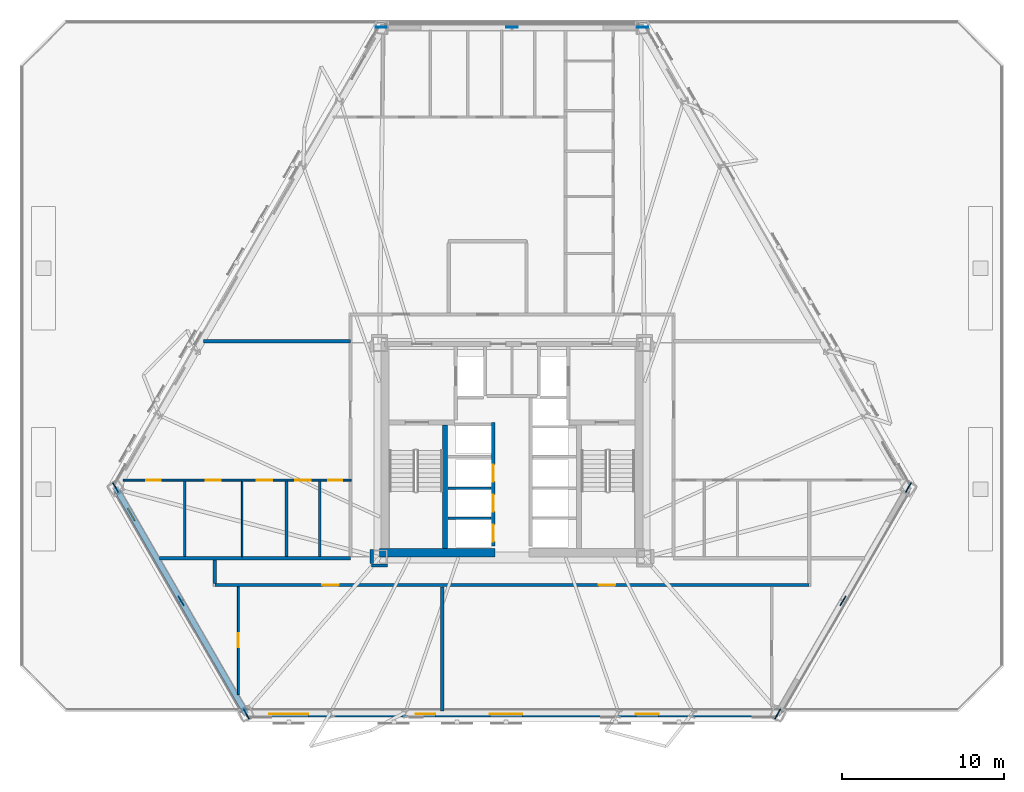
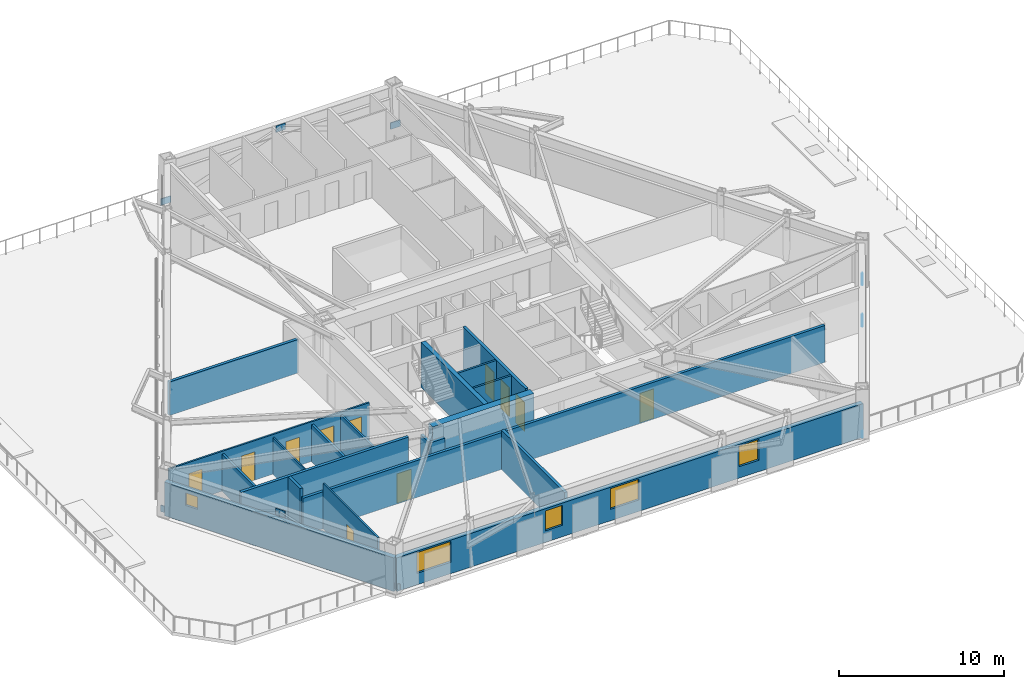
# One storey, part 3 of 14: 20 walls, 11 doors, 9 plates, 5 windows, 16 openings.
"""IFC4 building model written with IfcOpenShell, lengths in metres."""

from ifc_helpers import new_model, si_unit, direction, frame, frame_2d, origin, origin_2d, place, context, subcontext, project, spatial, rectangle, extrude, material, layer, layer_set, type_object, element, fill, save


model = new_model("IFC4")

# Units and contexts
model_context = context("Model", 3, precision=1e-05, world=origin(), true_north=direction((0.0, 1.0)))
body_context = subcontext(model_context, "Body", "Model", "MODEL_VIEW")
ifc_project = project(units=[si_unit("LENGTHUNIT", "METRE"), si_unit("AREAUNIT", "SQUARE_METRE"), si_unit("VOLUMEUNIT", "CUBIC_METRE"), si_unit("PLANEANGLEUNIT", "RADIAN"), si_unit("MASSUNIT", "GRAM", prefix="KILO")], contexts=[model_context])

# Site, building, storey
site_placement = place(None, origin())
site = spatial("IfcSite", under=ifc_project, at=site_placement, CompositionType="ELEMENT")
building_placement = place(site_placement, origin())
building = spatial("IfcBuilding", under=site, at=building_placement, Name="Oramaril Tower", CompositionType="ELEMENT")
storey_placement = place(building_placement, frame((0.0, 0.0, 27.300048828125)))
storey = spatial("IfcBuildingStorey", under=building, at=storey_placement, Name="L06", CompositionType="ELEMENT", Elevation=27.300048828125)

# Plates
ifc_material_1 = material(Name="Steel ASTM A572 Gr 50", Category="steel")
ifc_layer_1 = layer(ifc_material_1, 0.06005859375)
ifc_layer_set_1 = layer_set([ifc_layer_1], Name="PLT-G60")
plate_type = type_object("IfcPlateType", Name="PLT-G60", PredefinedType="USERDEFINED", material=ifc_layer_set_1)
for number, where, z_axis, x_axis, name in (
    (1, (17.11376953125, 8.330078125, 2.69189453125), (0.0, 0.0, 1.0), (0.499996976998, -0.866027149108, 0.0), "L06 Chevron Brace Gusset Plate BN-1"),
    (2, (13.089599609375, 15.300048828125, 0.099853515625), (0.0, 0.0, 1.0), (0.499996976998, -0.866027149108, 0.0), "L06 Chevron Brace Gusset Plate BN-1"),
    (3, (21.137939453125, 1.360107421875, 0.099853515625), (0.0, 0.0, 1.0), (0.499996976998, -0.866027149108, 0.0), "L06 Chevron Brace Gusset Plate BN-1"),
    (4, (57.88623046875, 8.330078125, 2.69189453125), (0.0, 0.0, 1.0), (0.499996976998, 0.866027149108, 0.0), "L06 Chevron Brace Gusset Plate BN-1"),
    (5, (53.862060546875, 1.360107421875, 0.099853515625), (0.0, 0.0, 1.0), (0.499996976998, 0.866027149108, 0.0), "L06 Chevron Brace Gusset Plate BN-1"),
    (6, (61.910400390625, 15.300048828125, 0.099853515625), (0.0, 0.0, 1.0), (0.499996976998, 0.866027149108, 0.0), "L06 Chevron Brace Gusset Plate BN-1"),
    (7, (37.5, 43.639892578125, 2.69189453125), (0.0, 0.0, 1.0), (-1.0, 0.0, 0.0), "L06 Chevron Brace Gusset Plate BN-1"),
    (8, (45.548095703125, 43.639892578125, 0.099853515625), (0.0, 0.0, 1.0), (-1.0, 0.0, 0.0), "L06 Chevron Brace Gusset Plate BN-1"),
    (9, (29.451904296875, 43.639892578125, 0.099853515625), (0.0, 0.0, 1.0), (-1.0, 0.0, 0.0), "L06 Chevron Brace Gusset Plate BN-1"),
):
    element("IfcPlate", number, at=place(storey_placement, frame(where, z_axis=z_axis, x_axis=x_axis)), inside=storey, type_object=plate_type, Name=name, ObjectType="GUSSET", PredefinedType="USERDEFINED", context=body_context, shape_type="SweptSolid", body=[
        extrude(rectangle(XDim=0.679931640625, YDim=0.06005859375, at=origin_2d()), origin(), (0.0, 0.0, 1.0), 0.47998046875),
    ])

# Wall, opening, window
ifc_material_2 = material(Name="Warm Cream Limestone", Category="masonry")
ifc_layer_2 = layer(ifc_material_2, 0.340087890625)
ifc_layer_set_2 = layer_set([ifc_layer_2], Name="WT-EXT34")
wall_type_1 = type_object("IfcWallType", Name="WT-EXT34", PredefinedType="SOLIDWALL", material=ifc_layer_set_2)
wall_1_placement = place(storey_placement, frame((13.089599609375, 15.300048828125, 0.0), z_axis=(0.0, 0.0, 1.0), x_axis=(0.500005168208, -0.866022419898, 0.0)))
wall_1 = element("IfcWall", 10, at=wall_1_placement, inside=storey, type_object=wall_type_1, Name="L06 Tower Limestone Facade Wall 1M", PredefinedType="SOLIDWALL", context=body_context, shape_type="SweptSolid", body=[
    extrude(rectangle(XDim=16.096435546875, YDim=0.340087890625, at=frame_2d((8.04833984375, 0.0))), origin(), (0.0, 0.0, 1.0), 2.493896484375),
])
opening_1_placement = place(wall_1_placement, frame((1.489990234375, 0.0, 1.280029296875)))
opening_1 = element("IfcOpeningElement", 11, at=opening_1_placement, cuts=wall_1, Name="Opening WN-13", PredefinedType="OPENING", context=body_context, shape_type="SweptSolid", body=[
    extrude(rectangle(XDim=0.85009765625, YDim=0.919921875, at=frame_2d((0.425048828125, 0.4599609375))), frame((0.0, 0.169921875, 0.0), z_axis=(0.0, -1.0, 0.0), x_axis=(1.0, 0.0, 0.0)), (0.0, 0.0, 1.0), 0.340087890625),
])
ifc_material_3 = material(Name="Coastal Low-E Insulated Glass", Category="glass")
window_type_1 = type_object("IfcWindowType", Name="WNT-13", PartitioningType="SINGLE_PANEL", PredefinedType="WINDOW", material=ifc_material_3)
window_1_placement = place(opening_1_placement, origin())
window_1 = element("IfcWindow", 12, at=window_1_placement, inside=storey, type_object=window_type_1, Name="L06 Apartment Bedroom Window WN-13", OverallHeight=0.919921875, OverallWidth=0.85009765625, PartitioningType="SINGLE_PANEL", PredefinedType="WINDOW", context=body_context, shape_type="SweptSolid", body=[
    extrude(rectangle(XDim=0.85009765625, YDim=0.919921875, at=frame_2d((0.425048828125, 0.4599609375))), frame((0.0, 0.030029296875, 0.0), z_axis=(0.0, -1.0, 0.0), x_axis=(1.0, 0.0, 0.0)), (0.0, 0.0, 1.0), 0.06005859375),
])
fill(opening_1, window_1)

# Wall, openings, windows
wall_2_placement = place(storey_placement, frame((21.137939453125, 1.360107421875, 0.0), z_axis=(0.0, 0.0, 1.0), x_axis=(1.0, 0.0, 0.0)))
wall_2 = element("IfcWall", 13, at=wall_2_placement, inside=storey, type_object=wall_type_1, Name="L06 Tower Limestone Facade Wall 2M", PredefinedType="SOLIDWALL", context=body_context, shape_type="SweptSolid", body=[
    extrude(rectangle(XDim=32.72412109375, YDim=0.340087890625, at=frame_2d((16.362060546875, 0.0))), origin(), (0.0, 0.0, 1.0), 2.493896484375),
])
opening_2_placement = place(wall_2_placement, frame((1.42041015625, 0.0, 0.85009765625)))
opening_2 = element("IfcOpeningElement", 14, at=opening_2_placement, cuts=wall_2, Name="Opening WN-03", PredefinedType="OPENING", context=body_context, shape_type="SweptSolid", body=[
    extrude(rectangle(XDim=2.39990234375, YDim=1.533935546875, at=frame_2d((1.199951171875, 0.76708984375))), frame((0.0, 0.169921875, 0.0), z_axis=(0.0, -1.0, 0.0), x_axis=(1.0, 0.0, 0.0)), (0.0, 0.0, 1.0), 0.340087890625),
])
opening_3_placement = place(wall_2_placement, frame((10.435546875, 0.0, 0.85009765625)))
opening_3 = element("IfcOpeningElement", 15, at=opening_3_placement, cuts=wall_2, Name="Opening WN-09", PredefinedType="OPENING", context=body_context, shape_type="SweptSolid", body=[
    extrude(rectangle(XDim=1.199951171875, YDim=1.47998046875, at=frame_2d((0.60009765625, 0.739990234375))), frame((0.0, 0.169921875, 0.0), z_axis=(0.0, -1.0, 0.0), x_axis=(1.0, 0.0, 0.0)), (0.0, 0.0, 1.0), 0.340087890625),
])
opening_4_placement = place(wall_2_placement, frame((15.0009765625, 0.0, 0.85009765625)))
opening_4 = element("IfcOpeningElement", 16, at=opening_4_placement, cuts=wall_2, Name="Opening WN-05", PredefinedType="OPENING", context=body_context, shape_type="SweptSolid", body=[
    extrude(rectangle(XDim=2.0, YDim=1.533935546875, at=frame_2d((1.0, 0.76708984375))), frame((0.0, 0.169921875, 0.0), z_axis=(0.0, -1.0, 0.0), x_axis=(1.0, 0.0, 0.0)), (0.0, 0.0, 1.0), 0.340087890625),
])
opening_5_placement = place(wall_2_placement, frame((23.987548828125, 0.0, 0.85009765625)))
opening_5 = element("IfcOpeningElement", 17, at=opening_5_placement, cuts=wall_2, Name="Opening WN-08", PredefinedType="OPENING", context=body_context, shape_type="SweptSolid", body=[
    extrude(rectangle(XDim=1.39990234375, YDim=1.533935546875, at=frame_2d((0.699951171875, 0.76708984375))), frame((0.0, 0.169921875, 0.0), z_axis=(0.0, -1.0, 0.0), x_axis=(1.0, 0.0, 0.0)), (0.0, 0.0, 1.0), 0.340087890625),
])
ifc_material_4 = material(Name="Coastal Low-E Insulated Glass", Category="glass")
window_type_2 = type_object("IfcWindowType", Name="WNT-03", PartitioningType="SINGLE_PANEL", PredefinedType="WINDOW", material=ifc_material_4)
window_2_placement = place(opening_2_placement, origin())
window_2 = element("IfcWindow", 18, at=window_2_placement, inside=storey, type_object=window_type_2, Name="L06 Chicago Bay Window WN-03", OverallHeight=1.533935546875, OverallWidth=2.39990234375, PartitioningType="SINGLE_PANEL", PredefinedType="WINDOW", context=body_context, shape_type="SweptSolid", body=[
    extrude(rectangle(XDim=2.39990234375, YDim=1.533935546875, at=frame_2d((1.199951171875, 0.76708984375))), frame((0.0, 0.030029296875, 0.0), z_axis=(0.0, -1.0, 0.0), x_axis=(1.0, 0.0, 0.0)), (0.0, 0.0, 1.0), 0.06005859375),
])
fill(opening_2, window_2)
ifc_material_5 = material(Name="Coastal Low-E Insulated Glass", Category="glass")
window_type_3 = type_object("IfcWindowType", Name="WNT-05", PartitioningType="SINGLE_PANEL", PredefinedType="WINDOW", material=ifc_material_5)
window_3_placement = place(opening_4_placement, origin())
window_3 = element("IfcWindow", 19, at=window_3_placement, inside=storey, type_object=window_type_3, Name="L06 Chicago Bay Window WN-05", OverallHeight=1.533935546875, OverallWidth=2.0, PartitioningType="SINGLE_PANEL", PredefinedType="WINDOW", context=body_context, shape_type="SweptSolid", body=[
    extrude(rectangle(XDim=2.0, YDim=1.533935546875, at=frame_2d((1.0, 0.76708984375))), frame((0.0, 0.030029296875, 0.0), z_axis=(0.0, -1.0, 0.0), x_axis=(1.0, 0.0, 0.0)), (0.0, 0.0, 1.0), 0.06005859375),
])
fill(opening_4, window_3)
ifc_material_6 = material(Name="Coastal Low-E Insulated Glass", Category="glass")
window_type_4 = type_object("IfcWindowType", Name="WNT-08", PartitioningType="SINGLE_PANEL", PredefinedType="WINDOW", material=ifc_material_6)
window_4_placement = place(opening_5_placement, origin())
window_4 = element("IfcWindow", 20, at=window_4_placement, inside=storey, type_object=window_type_4, Name="L06 Chicago Bay Window WN-08", OverallHeight=1.533935546875, OverallWidth=1.39990234375, PartitioningType="SINGLE_PANEL", PredefinedType="WINDOW", context=body_context, shape_type="SweptSolid", body=[
    extrude(rectangle(XDim=1.39990234375, YDim=1.533935546875, at=frame_2d((0.699951171875, 0.76708984375))), frame((0.0, 0.030029296875, 0.0), z_axis=(0.0, -1.0, 0.0), x_axis=(1.0, 0.0, 0.0)), (0.0, 0.0, 1.0), 0.06005859375),
])
fill(opening_5, window_4)
ifc_material_7 = material(Name="Coastal Low-E Insulated Glass", Category="glass")
window_type_5 = type_object("IfcWindowType", Name="WNT-09", PartitioningType="SINGLE_PANEL", PredefinedType="WINDOW", material=ifc_material_7)
window_5_placement = place(opening_3_placement, origin())
window_5 = element("IfcWindow", 21, at=window_5_placement, inside=storey, type_object=window_type_5, Name="L06 Chicago Bay Window WN-09", OverallHeight=1.47998046875, OverallWidth=1.199951171875, PartitioningType="SINGLE_PANEL", PredefinedType="WINDOW", context=body_context, shape_type="SweptSolid", body=[
    extrude(rectangle(XDim=1.199951171875, YDim=1.47998046875, at=frame_2d((0.60009765625, 0.739990234375))), frame((0.0, 0.030029296875, 0.0), z_axis=(0.0, -1.0, 0.0), x_axis=(1.0, 0.0, 0.0)), (0.0, 0.0, 1.0), 0.06005859375),
])
fill(opening_3, window_5)

# Wall
ifc_material_8 = material(Name="Acoustic Gypsum Board Partition")
ifc_layer_3 = layer(ifc_material_8, 0.10009765625)
ifc_layer_set_3 = layer_set([ifc_layer_3], Name="WT-PT10")
wall_type_2 = type_object("IfcWallType", Name="WT-PT10", PredefinedType="PARTITIONING", material=ifc_layer_set_3)
wall_3_placement = place(storey_placement, frame((20.8798828125, 11.053955078125, 0.0), z_axis=(0.0, 0.0, 1.0), x_axis=(0.0, 1.0, 0.0)))
element("IfcWall", 22, at=wall_3_placement, inside=storey, type_object=wall_type_2, Name="L06 Interior Partition PT-10", PredefinedType="PARTITIONING", context=body_context, shape_type="SweptSolid", body=[
    extrude(rectangle(XDim=4.64208984375, YDim=0.10009765625, at=frame_2d((2.321044921875, 0.0))), origin(), (0.0, 0.0, 1.0), 2.738037109375),
])

# Wall, openings, doors
ifc_material_9 = material(Name="Acoustic Gypsum Board Partition")
ifc_layer_4 = layer(ifc_material_9, 0.1201171875)
ifc_layer_set_4 = layer_set([ifc_layer_4], Name="WT-PT12")
wall_type_3 = type_object("IfcWallType", Name="WT-PT12", PredefinedType="PARTITIONING", material=ifc_layer_set_4)
wall_4_placement = place(storey_placement, frame((13.55615234375, 15.760009765625, 0.0), z_axis=(0.0, 0.0, 1.0), x_axis=(1.0, 0.0, 0.0)))
wall_4 = element("IfcWall", 23, at=wall_4_placement, inside=storey, type_object=wall_type_3, Name="L06 Interior Partition PT-12", PredefinedType="PARTITIONING", context=body_context, shape_type="SweptSolid", body=[
    extrude(rectangle(XDim=14.0439453125, YDim=0.1201171875, at=frame_2d((7.02197265625, 0.0))), origin(), (0.0, 0.0, 1.0), 2.946044921875),
])
opening_6_placement = place(wall_4_placement, frame((1.405029296875, 0.0, 0.0)))
opening_6 = element("IfcOpeningElement", 24, at=opening_6_placement, cuts=wall_4, Name="Opening D-L06-03", PredefinedType="OPENING", context=body_context, shape_type="SweptSolid", body=[
    extrude(rectangle(XDim=0.919921875, YDim=2.1201171875, at=frame_2d((0.4599609375, 1.06005859375))), frame((0.0, 0.06005859375, 0.0), z_axis=(0.0, -1.0, 0.0), x_axis=(1.0, 0.0, 0.0)), (0.0, 0.0, 1.0), 0.1201171875),
])
opening_7_placement = place(wall_4_placement, frame((5.094970703125, 0.0, 0.0)))
opening_7 = element("IfcOpeningElement", 25, at=opening_7_placement, cuts=wall_4, Name="Opening D-L06-04", PredefinedType="OPENING", context=body_context, shape_type="SweptSolid", body=[
    extrude(rectangle(XDim=0.919921875, YDim=2.1201171875, at=frame_2d((0.4599609375, 1.06005859375))), frame((0.0, 0.06005859375, 0.0), z_axis=(0.0, -1.0, 0.0), x_axis=(1.0, 0.0, 0.0)), (0.0, 0.0, 1.0), 0.1201171875),
])
opening_8_placement = place(wall_4_placement, frame((8.214111328125, 0.0, 0.0)))
opening_8 = element("IfcOpeningElement", 26, at=opening_8_placement, cuts=wall_4, Name="Opening D-L06-05", PredefinedType="OPENING", context=body_context, shape_type="SweptSolid", body=[
    extrude(rectangle(XDim=0.949951171875, YDim=2.10009765625, at=frame_2d((0.47509765625, 1.050048828125))), frame((0.0, 0.06005859375, 0.0), z_axis=(0.0, -1.0, 0.0), x_axis=(1.0, 0.0, 0.0)), (0.0, 0.0, 1.0), 0.1201171875),
])
opening_9_placement = place(wall_4_placement, frame((10.603759765625, 0.0, 0.0)))
opening_9 = element("IfcOpeningElement", 27, at=opening_9_placement, cuts=wall_4, Name="Opening D-L06-06", PredefinedType="OPENING", context=body_context, shape_type="SweptSolid", body=[
    extrude(rectangle(XDim=0.949951171875, YDim=2.10009765625, at=frame_2d((0.47509765625, 1.050048828125))), frame((0.0, 0.06005859375, 0.0), z_axis=(0.0, -1.0, 0.0), x_axis=(1.0, 0.0, 0.0)), (0.0, 0.0, 1.0), 0.1201171875),
])
opening_10_placement = place(wall_4_placement, frame((12.623779296875, 0.0, 0.0)))
opening_10 = element("IfcOpeningElement", 28, at=opening_10_placement, cuts=wall_4, Name="Opening D-L06-07", PredefinedType="OPENING", context=body_context, shape_type="SweptSolid", body=[
    extrude(rectangle(XDim=0.8798828125, YDim=2.080078125, at=frame_2d((0.43994140625, 1.0400390625))), frame((0.0, 0.06005859375, 0.0), z_axis=(0.0, -1.0, 0.0), x_axis=(1.0, 0.0, 0.0)), (0.0, 0.0, 1.0), 0.1201171875),
])
ifc_material_10 = material(Name="FSC Brazilian Freijo Hardwood", Category="wood")
door_type_1 = type_object("IfcDoorType", Name="DT-BATH", OperationType="NOTDEFINED", PredefinedType="DOOR", material=ifc_material_10)
door_1_placement = place(opening_10_placement, origin())
door_1 = element("IfcDoor", 29, at=door_1_placement, inside=storey, type_object=door_type_1, Name="L06 Flat L06-U3 Bathroom Door D-L06-07", OperationType="SINGLE_SWING_LEFT", OverallHeight=2.080078125, OverallWidth=0.8798828125, PredefinedType="DOOR", context=body_context, shape_type="SweptSolid", body=[
    extrude(rectangle(XDim=0.8798828125, YDim=2.080078125, at=frame_2d((0.43994140625, 1.0400390625))), frame((0.0, 0.02490234375, 0.0), z_axis=(0.0, -1.0, 0.0), x_axis=(1.0, 0.0, 0.0)), (0.0, 0.0, 1.0), 0.050048828125),
])
fill(opening_10, door_1)
ifc_material_11 = material(Name="FSC Brazilian Freijo Hardwood", Category="wood")
door_type_2 = type_object("IfcDoorType", Name="DT-BED", OperationType="NOTDEFINED", PredefinedType="DOOR", material=ifc_material_11)
door_2_placement = place(opening_6_placement, origin())
door_2 = element("IfcDoor", 30, at=door_2_placement, inside=storey, type_object=door_type_2, Name="L06 Flat L06-U3 Master Bedroom Door D-L06-03", OperationType="SINGLE_SWING_LEFT", OverallHeight=2.1201171875, OverallWidth=0.919921875, PredefinedType="DOOR", context=body_context, shape_type="SweptSolid", body=[
    extrude(rectangle(XDim=0.919921875, YDim=2.1201171875, at=frame_2d((0.4599609375, 1.06005859375))), frame((0.0, 0.02490234375, 0.0), z_axis=(0.0, -1.0, 0.0), x_axis=(1.0, 0.0, 0.0)), (0.0, 0.0, 1.0), 0.050048828125),
])
fill(opening_6, door_2)
door_3_placement = place(opening_7_placement, origin())
door_3 = element("IfcDoor", 31, at=door_3_placement, inside=storey, type_object=door_type_2, Name="L06 Flat L06-U3 Bedroom 2 Door D-L06-04", OperationType="SINGLE_SWING_RIGHT", OverallHeight=2.1201171875, OverallWidth=0.919921875, PredefinedType="DOOR", context=body_context, shape_type="SweptSolid", body=[
    extrude(rectangle(XDim=0.919921875, YDim=2.1201171875, at=frame_2d((0.4599609375, 1.06005859375))), frame((0.0, 0.02490234375, 0.0), z_axis=(0.0, -1.0, 0.0), x_axis=(1.0, 0.0, 0.0)), (0.0, 0.0, 1.0), 0.050048828125),
])
fill(opening_7, door_3)
ifc_material_12 = material(Name="FSC Brazilian Freijo Hardwood", Category="wood")
door_type_3 = type_object("IfcDoorType", Name="DT-STDY", OperationType="NOTDEFINED", PredefinedType="DOOR", material=ifc_material_12)
door_4_placement = place(opening_8_placement, origin())
door_4 = element("IfcDoor", 32, at=door_4_placement, inside=storey, type_object=door_type_3, Name="L06 Flat L06-U3 Breakfast Dining Room Door D-L06-05", OperationType="SINGLE_SWING_LEFT", OverallHeight=2.10009765625, OverallWidth=0.949951171875, PredefinedType="DOOR", context=body_context, shape_type="SweptSolid", body=[
    extrude(rectangle(XDim=0.949951171875, YDim=2.10009765625, at=frame_2d((0.47509765625, 1.050048828125))), frame((0.0, 0.02490234375, 0.0), z_axis=(0.0, -1.0, 0.0), x_axis=(1.0, 0.0, 0.0)), (0.0, 0.0, 1.0), 0.050048828125),
])
fill(opening_8, door_4)
door_5_placement = place(opening_9_placement, origin())
door_5 = element("IfcDoor", 33, at=door_5_placement, inside=storey, type_object=door_type_3, Name="L06 Flat L06-U3 Kitchen Door D-L06-06", OperationType="SINGLE_SWING_RIGHT", OverallHeight=2.10009765625, OverallWidth=0.949951171875, PredefinedType="DOOR", context=body_context, shape_type="SweptSolid", body=[
    extrude(rectangle(XDim=0.949951171875, YDim=2.10009765625, at=frame_2d((0.47509765625, 1.050048828125))), frame((0.0, 0.02490234375, 0.0), z_axis=(0.0, -1.0, 0.0), x_axis=(1.0, 0.0, 0.0)), (0.0, 0.0, 1.0), 0.050048828125),
])
fill(opening_9, door_5)

# Wall, opening, door
wall_5_placement = place(storey_placement, frame((20.64990234375, 2.552978515625, 0.0), z_axis=(0.0, 0.0, 1.0), x_axis=(0.0, 1.0, 0.0)))
wall_5 = element("IfcWall", 34, at=wall_5_placement, inside=storey, type_object=wall_type_3, Name="L06 Interior Partition PT-12", PredefinedType="PARTITIONING", context=body_context, shape_type="SweptSolid", body=[
    extrude(rectangle(XDim=6.64306640625, YDim=0.1201171875, at=frame_2d((3.321533203125, 0.0))), origin(), (0.0, 0.0, 1.0), 3.35986328125),
])
opening_11_placement = place(wall_5_placement, frame((2.90380859375, 0.0, 0.0)))
opening_11 = element("IfcOpeningElement", 35, at=opening_11_placement, cuts=wall_5, Name="Opening D-L06-21", PredefinedType="OPENING", context=body_context, shape_type="SweptSolid", body=[
    extrude(rectangle(XDim=0.8798828125, YDim=2.080078125, at=frame_2d((0.43994140625, 1.0400390625))), frame((0.0, 0.06005859375, 0.0), z_axis=(0.0, -1.0, 0.0), x_axis=(1.0, 0.0, 0.0)), (0.0, 0.0, 1.0), 0.1201171875),
])
door_6_placement = place(opening_11_placement, origin())
door_6 = element("IfcDoor", 36, at=door_6_placement, inside=storey, type_object=door_type_1, Name="L06 Flat L06-U1 Bathroom Door D-L06-21", OperationType="SINGLE_SWING_LEFT", OverallHeight=2.080078125, OverallWidth=0.8798828125, PredefinedType="DOOR", context=body_context, shape_type="SweptSolid", body=[
    extrude(rectangle(XDim=0.8798828125, YDim=2.080078125, at=frame_2d((0.43994140625, 1.0400390625))), frame((0.0, 0.02490234375, 0.0), z_axis=(0.0, -1.0, 0.0), x_axis=(1.0, 0.0, 0.0)), (0.0, 0.0, 1.0), 0.050048828125),
])
fill(opening_11, door_6)

# Walls
ifc_material_13 = material(Name="Acoustic Gypsum Board Partition")
ifc_layer_5 = layer(ifc_material_13, 0.139892578125)
ifc_layer_set_5 = layer_set([ifc_layer_5], Name="WT-PT14")
wall_type_4 = type_object("IfcWallType", Name="WT-PT14", PredefinedType="PARTITIONING", material=ifc_layer_set_5)
for number, where, z_axis, x_axis, name in (
    (37, (33.56005859375, 13.419921875, 0.0), (0.0, 0.0, 1.0), (1.0, 0.0, 0.0), "L06 West Lift Divider"),
    (38, (33.56005859375, 15.27001953125, 0.0), (0.0, 0.0, 1.0), (1.0, 0.0, 0.0), "L06 West Lift Divider"),
):
    element("IfcWall", number, at=place(storey_placement, frame(where, z_axis=z_axis, x_axis=x_axis)), inside=storey, type_object=wall_type_4, Name=name, PredefinedType="PARTITIONING", context=body_context, shape_type="SweptSolid", body=[
        extrude(rectangle(XDim=2.659912109375, YDim=0.139892578125, at=frame_2d((1.330078125, 0.0))), origin(), (0.0, 0.0, 1.0), 3.35986328125),
    ])
wall_6_placement = place(storey_placement, frame((25.659912109375, 11.053955078125, 0.0), z_axis=(0.0, 0.0, 1.0), x_axis=(0.0, 1.0, 0.0)))
element("IfcWall", 39, at=wall_6_placement, inside=storey, type_object=wall_type_4, Name="L06 Interior Partition PT-14", PredefinedType="PARTITIONING", context=body_context, shape_type="SweptSolid", body=[
    extrude(rectangle(XDim=4.64208984375, YDim=0.139892578125, at=frame_2d((2.321044921875, 0.0))), origin(), (0.0, 0.0, 1.0), 2.738037109375),
])
ifc_material_14 = material(Name="Acoustic Gypsum Board Partition")
ifc_layer_6 = layer(ifc_material_14, 0.159912109375)
ifc_layer_set_6 = layer_set([ifc_layer_6], Name="WT-PT16")
wall_type_5 = type_object("IfcWallType", Name="WT-PT16", PredefinedType="PARTITIONING", material=ifc_layer_set_6)
for number, where, z_axis, x_axis, name in (
    (40, (17.340087890625, 11.053955078125, 0.0), (0.0, 0.0, 1.0), (0.0, 1.0, 0.0), "L06 Interior Partition PT-16"),
    (41, (23.610107421875, 11.053955078125, 0.0), (0.0, 0.0, 1.0), (0.0, 1.0, 0.0), "L06 Interior Partition PT-16"),
):
    element("IfcWall", number, at=place(storey_placement, frame(where, z_axis=z_axis, x_axis=x_axis)), inside=storey, type_object=wall_type_5, Name=name, PredefinedType="PARTITIONING", context=body_context, shape_type="SweptSolid", body=[
        extrude(rectangle(XDim=4.64208984375, YDim=0.159912109375, at=frame_2d((2.321044921875, 0.0))), origin(), (0.0, 0.0, 1.0), 2.738037109375),
    ])

# Wall, openings, doors
ifc_material_15 = material(Name="Autoclaved Cellular Concrete Block", Category="concrete")
ifc_layer_7 = layer(ifc_material_15, 0.199951171875)
ifc_layer_set_7 = layer_set([ifc_layer_7], Name="WT-PT20")
wall_type_6 = type_object("IfcWallType", Name="WT-PT20", PredefinedType="PARTITIONING", material=ifc_layer_set_7)
wall_7_placement = place(storey_placement, frame((19.199951171875, 9.300048828125, 0.0), z_axis=(0.0, 0.0, 1.0), x_axis=(1.0, 0.0, 0.0)))
wall_7 = element("IfcWall", 42, at=wall_7_placement, inside=storey, type_object=wall_type_6, Name="L06 Interior Partition PT-20", PredefinedType="PARTITIONING", context=body_context, shape_type="SweptSolid", body=[
    extrude(rectangle(XDim=36.60009765625, YDim=0.199951171875, at=frame_2d((18.300048828125, 0.0))), origin(), (0.0, 0.0, 1.0), 2.738037109375),
])
opening_12_placement = place(wall_7_placement, frame((6.62939453125, 0.0, 0.0)))
opening_12 = element("IfcOpeningElement", 43, at=opening_12_placement, cuts=wall_7, Name="Opening D-L06-01", PredefinedType="OPENING", context=body_context, shape_type="SweptSolid", body=[
    extrude(rectangle(XDim=1.0, YDim=2.179931640625, at=frame_2d((0.5, 1.08984375))), frame((0.0, 0.10009765625, 0.0), z_axis=(0.0, -1.0, 0.0), x_axis=(1.0, 0.0, 0.0)), (0.0, 0.0, 1.0), 0.199951171875),
])
opening_13_placement = place(wall_7_placement, frame((23.64990234375, 0.0, 0.0)))
opening_13 = element("IfcOpeningElement", 44, at=opening_13_placement, cuts=wall_7, Name="Opening D-L06-02", PredefinedType="OPENING", context=body_context, shape_type="SweptSolid", body=[
    extrude(rectangle(XDim=1.0, YDim=2.179931640625, at=frame_2d((0.5, 1.08984375))), frame((0.0, 0.10009765625, 0.0), z_axis=(0.0, -1.0, 0.0), x_axis=(1.0, 0.0, 0.0)), (0.0, 0.0, 1.0), 0.199951171875),
])
ifc_material_16 = material(Name="FSC Brazilian Freijo Hardwood", Category="wood")
door_type_4 = type_object("IfcDoorType", Name="DT-APT", OperationType="NOTDEFINED", PredefinedType="DOOR", material=ifc_material_16)
door_7_placement = place(opening_12_placement, origin())
door_7 = element("IfcDoor", 45, at=door_7_placement, inside=storey, type_object=door_type_4, Name="L06 Flat L06-U1 Kitchen and Studio Apartment Door D-L06-01", OperationType="SINGLE_SWING_LEFT", OverallHeight=2.179931640625, OverallWidth=1.0, PredefinedType="DOOR", context=body_context, shape_type="SweptSolid", body=[
    extrude(rectangle(XDim=1.0, YDim=2.179931640625, at=frame_2d((0.5, 1.08984375))), frame((0.0, 0.02490234375, 0.0), z_axis=(0.0, -1.0, 0.0), x_axis=(1.0, 0.0, 0.0)), (0.0, 0.0, 1.0), 0.050048828125),
])
fill(opening_12, door_7)
door_8_placement = place(opening_13_placement, origin())
door_8 = element("IfcDoor", 46, at=door_8_placement, inside=storey, type_object=door_type_4, Name="L06 Flat L06-U2 Kitchen and Studio Apartment Door D-L06-02", OperationType="SINGLE_SWING_RIGHT", OverallHeight=2.179931640625, OverallWidth=1.0, PredefinedType="DOOR", context=body_context, shape_type="SweptSolid", body=[
    extrude(rectangle(XDim=1.0, YDim=2.179931640625, at=frame_2d((0.5, 1.08984375))), frame((0.0, 0.02490234375, 0.0), z_axis=(0.0, -1.0, 0.0), x_axis=(1.0, 0.0, 0.0)), (0.0, 0.0, 1.0), 0.050048828125),
])
fill(opening_13, door_8)

# Walls
wall_8_placement = place(storey_placement, frame((28.860107421875, 10.510009765625, 0.0), z_axis=(0.0, 0.0, 1.0), x_axis=(1.0, 0.0, 0.0)))
element("IfcWall", 47, at=wall_8_placement, inside=storey, type_object=wall_type_6, Name="L06 Interior Partition PT-20", PredefinedType="PARTITIONING", context=body_context, shape_type="SweptSolid", body=[
    extrude(rectangle(XDim=0.97998046875, YDim=0.199951171875, at=frame_2d((0.489990234375, 0.0))), origin(), (0.0, 0.0, 1.0), 2.738037109375),
])
wall_9_placement = place(storey_placement, frame((15.802001953125, 10.949951171875, 0.0), z_axis=(0.0, 0.0, 1.0), x_axis=(1.0, 0.0, 0.0)))
element("IfcWall", 48, at=wall_9_placement, inside=storey, type_object=wall_type_6, Name="L06 Interior Partition PT-20", PredefinedType="PARTITIONING", context=body_context, shape_type="SweptSolid", body=[
    extrude(rectangle(XDim=11.748046875, YDim=0.199951171875, at=frame_2d((5.8740234375, 0.0))), origin(), (0.0, 0.0, 1.0), 3.35986328125),
])
wall_10_placement = place(storey_placement, frame((18.498291015625, 24.320068359375, 0.0), z_axis=(0.0, 0.0, 1.0), x_axis=(1.0, 0.0, 0.0)))
element("IfcWall", 49, at=wall_10_placement, inside=storey, type_object=wall_type_6, Name="L06 Interior Partition PT-20", PredefinedType="PARTITIONING", context=body_context, shape_type="SweptSolid", body=[
    extrude(rectangle(XDim=9.0517578125, YDim=0.199951171875, at=frame_2d((4.52587890625, 0.0))), origin(), (0.0, 0.0, 1.0), 2.493896484375),
])
wall_11_placement = place(storey_placement, frame((19.199951171875, 9.404052734375, 0.0), z_axis=(0.0, 0.0, 1.0), x_axis=(0.0, 1.0, 0.0)))
element("IfcWall", 50, at=wall_11_placement, inside=storey, type_object=wall_type_6, Name="L06 Interior Partition PT-20", PredefinedType="PARTITIONING", context=body_context, shape_type="SweptSolid", body=[
    extrude(rectangle(XDim=1.44189453125, YDim=0.199951171875, at=frame_2d((0.720947265625, 0.0))), origin(), (0.0, 0.0, 1.0), 3.35986328125),
])
wall_12_placement = place(storey_placement, frame((28.860107421875, 10.614013671875, 0.0), z_axis=(0.0, 0.0, 1.0), x_axis=(0.0, 1.0, 0.0)))
element("IfcWall", 51, at=wall_12_placement, inside=storey, type_object=wall_type_6, Name="L06 Interior Partition PT-20", PredefinedType="PARTITIONING", context=body_context, shape_type="SweptSolid", body=[
    extrude(rectangle(XDim=0.881103515625, YDim=0.199951171875, at=frame_2d((0.4404296875, 0.0))), origin(), (0.0, 0.0, 1.0), 2.738037109375),
])
wall_13_placement = place(storey_placement, frame((33.199951171875, 1.533935546875, 0.0), z_axis=(0.0, 0.0, 1.0), x_axis=(0.0, 1.0, 0.0)))
element("IfcWall", 52, at=wall_13_placement, inside=storey, type_object=wall_type_6, Name="L06 Interior Partition PT-20", PredefinedType="PARTITIONING", context=body_context, shape_type="SweptSolid", body=[
    extrude(rectangle(XDim=7.662109375, YDim=0.199951171875, at=frame_2d((3.8310546875, 0.0))), origin(), (0.0, 0.0, 1.0), 2.946044921875),
])
ifc_material_17 = material(Name="Concrete C50/60", Category="concrete")
ifc_layer_8 = layer(ifc_material_17, 0.300048828125)
ifc_layer_set_8 = layer_set([ifc_layer_8], Name="WT-SH30")
wall_type_7 = type_object("IfcWallType", Name="WT-SH30", PredefinedType="SHEAR", material=ifc_layer_set_8)
wall_14_placement = place(storey_placement, frame((33.3798828125, 11.5400390625, 0.0), z_axis=(0.0, 0.0, 1.0), x_axis=(0.0, 1.0, 0.0)))
element("IfcWall", 53, at=wall_14_placement, inside=storey, type_object=wall_type_7, Name="L06 Core Shear Wall CW-ST1E", PredefinedType="SHEAR", context=body_context, shape_type="SweptSolid", body=[
    extrude(rectangle(XDim=7.619873046875, YDim=0.300048828125, at=frame_2d((3.81005859375, 0.0))), origin(), (0.0, 0.0, 1.0), 3.35986328125),
])
ifc_material_18 = material(Name="Concrete C50/60", Category="concrete")
ifc_layer_9 = layer(ifc_material_18, 0.5)
ifc_layer_set_9 = layer_set([ifc_layer_9], Name="WT-SH50")
wall_type_8 = type_object("IfcWallType", Name="WT-SH50", PredefinedType="SHEAR", material=ifc_layer_set_9)
wall_15_placement = place(storey_placement, frame((29.35009765625, 11.2900390625, 0.0), z_axis=(0.0, 0.0, 1.0), x_axis=(1.0, 0.0, 0.0)))
element("IfcWall", 54, at=wall_15_placement, inside=storey, type_object=wall_type_8, Name="L06 Core Shear Wall CW-SW", PredefinedType="SHEAR", context=body_context, shape_type="SweptSolid", body=[
    extrude(rectangle(XDim=7.099853515625, YDim=0.5, at=frame_2d((3.5498046875, 0.0))), origin(), (0.0, 0.0, 1.0), 3.35986328125),
])

# Wall, openings, doors
ifc_material_19 = material(Name="Autoclaved Cellular Concrete Block", Category="concrete")
ifc_layer_10 = layer(ifc_material_19, 0.199951171875)
ifc_layer_set_10 = layer_set([ifc_layer_10], Name="WT-SHF20")
wall_type_9 = type_object("IfcWallType", Name="WT-SHF20", PredefinedType="PARTITIONING", material=ifc_layer_set_10)
wall_16_placement = place(storey_placement, frame((36.340087890625, 11.719970703125, 0.0), z_axis=(0.0, 0.0, 1.0), x_axis=(0.0, 1.0, 0.0)))
wall_16 = element("IfcWall", 55, at=wall_16_placement, inside=storey, type_object=wall_type_9, Name="L06 West Lift Bank Front Wall", PredefinedType="PARTITIONING", context=body_context, shape_type="SweptSolid", body=[
    extrude(rectangle(XDim=7.60009765625, YDim=0.199951171875, at=frame_2d((3.800048828125, 0.0))), origin(), (0.0, 0.0, 1.0), 3.35986328125),
])
opening_14_placement = place(wall_16_placement, frame((0.2548828125, 0.0, 0.0)))
opening_14 = element("IfcOpeningElement", 56, at=opening_14_placement, cuts=wall_16, Name="Opening LD-L06-LP-L1", PredefinedType="OPENING", context=body_context, shape_type="SweptSolid", body=[
    extrude(rectangle(XDim=1.050048828125, YDim=2.14990234375, at=frame_2d((0.52490234375, 1.074951171875))), frame((0.0, 0.10009765625, 0.0), z_axis=(0.0, -1.0, 0.0), x_axis=(1.0, 0.0, 0.0)), (0.0, 0.0, 1.0), 0.199951171875),
])
opening_15_placement = place(wall_16_placement, frame((2.10498046875, 0.0, 0.0)))
opening_15 = element("IfcOpeningElement", 57, at=opening_15_placement, cuts=wall_16, Name="Opening LD-L06-LP-L2", PredefinedType="OPENING", context=body_context, shape_type="SweptSolid", body=[
    extrude(rectangle(XDim=1.050048828125, YDim=2.14990234375, at=frame_2d((0.52490234375, 1.074951171875))), frame((0.0, 0.10009765625, 0.0), z_axis=(0.0, -1.0, 0.0), x_axis=(1.0, 0.0, 0.0)), (0.0, 0.0, 1.0), 0.199951171875),
])
opening_16_placement = place(wall_16_placement, frame((3.955078125, 0.0, 0.0)))
opening_16 = element("IfcOpeningElement", 58, at=opening_16_placement, cuts=wall_16, Name="Opening LD-L06-LP-L3", PredefinedType="OPENING", context=body_context, shape_type="SweptSolid", body=[
    extrude(rectangle(XDim=1.050048828125, YDim=2.14990234375, at=frame_2d((0.52490234375, 1.074951171875))), frame((0.0, 0.10009765625, 0.0), z_axis=(0.0, -1.0, 0.0), x_axis=(1.0, 0.0, 0.0)), (0.0, 0.0, 1.0), 0.199951171875),
])
ifc_material_20 = material(Name="Stainless Steel 316L", Category="steel")
door_type_5 = type_object("IfcDoorType", Name="DT-LD2", OperationType="NOTDEFINED", PredefinedType="DOOR", material=ifc_material_20)
door_9_placement = place(opening_14_placement, origin())
door_9 = element("IfcDoor", 59, at=door_9_placement, inside=storey, type_object=door_type_5, Name="L06 Lift LP-L1 Sliding Landing Door", OperationType="SLIDING_TO_LEFT", OverallHeight=2.14990234375, OverallWidth=1.050048828125, PredefinedType="DOOR", context=body_context, shape_type="SweptSolid", body=[
    extrude(rectangle(XDim=1.050048828125, YDim=2.14990234375, at=frame_2d((0.52490234375, 1.074951171875))), frame((0.0, 0.02490234375, 0.0), z_axis=(0.0, -1.0, 0.0), x_axis=(1.0, 0.0, 0.0)), (0.0, 0.0, 1.0), 0.050048828125),
])
fill(opening_14, door_9)
door_10_placement = place(opening_15_placement, origin())
door_10 = element("IfcDoor", 60, at=door_10_placement, inside=storey, type_object=door_type_5, Name="L06 Lift LP-L2 Sliding Landing Door", OperationType="SLIDING_TO_RIGHT", OverallHeight=2.14990234375, OverallWidth=1.050048828125, PredefinedType="DOOR", context=body_context, shape_type="SweptSolid", body=[
    extrude(rectangle(XDim=1.050048828125, YDim=2.14990234375, at=frame_2d((0.52490234375, 1.074951171875))), frame((0.0, 0.02490234375, 0.0), z_axis=(0.0, -1.0, 0.0), x_axis=(1.0, 0.0, 0.0)), (0.0, 0.0, 1.0), 0.050048828125),
])
fill(opening_15, door_10)
door_11_placement = place(opening_16_placement, origin())
door_11 = element("IfcDoor", 61, at=door_11_placement, inside=storey, type_object=door_type_5, Name="L06 Lift LP-L3 Sliding Landing Door", OperationType="SLIDING_TO_LEFT", OverallHeight=2.14990234375, OverallWidth=1.050048828125, PredefinedType="DOOR", context=body_context, shape_type="SweptSolid", body=[
    extrude(rectangle(XDim=1.050048828125, YDim=2.14990234375, at=frame_2d((0.52490234375, 1.074951171875))), frame((0.0, 0.02490234375, 0.0), z_axis=(0.0, -1.0, 0.0), x_axis=(1.0, 0.0, 0.0)), (0.0, 0.0, 1.0), 0.050048828125),
])
fill(opening_16, door_11)

save(model, "model.ifc")
